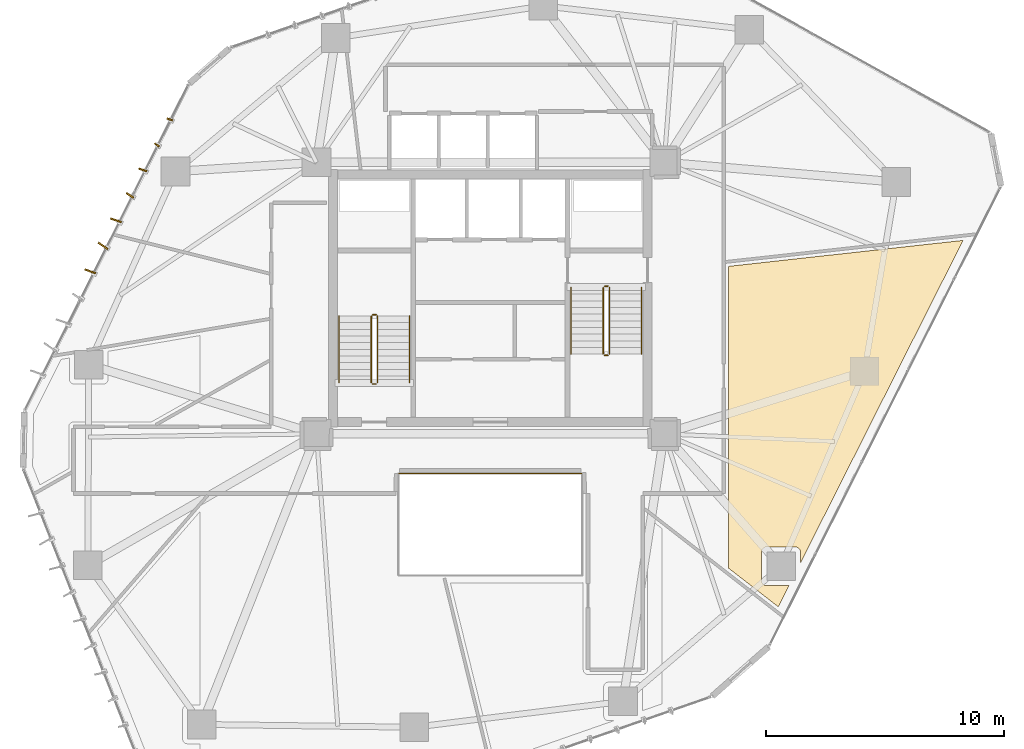
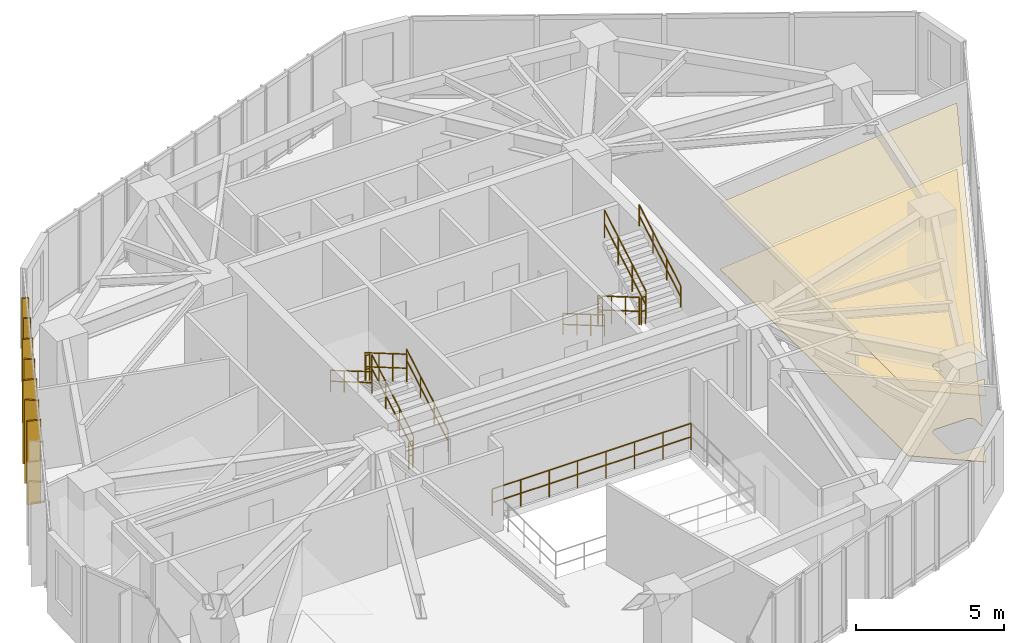
# One storey, part 20 of 21: 13 railings, 7 shading devices, 2 coverings.
"""IFC4 building model written with IfcOpenShell, lengths in metres."""

import ifcopenshell
import ifcopenshell.guid

model = None  # the IFC model being written
_history = None  # IfcOwnerHistory: only IFC2X3 demands one
_inside = {}  # id of a spatial element -> (the spatial element, [elements in it])
_under = {}  # id of a project, library or spatial element -> (it, [spatial elements below it])
_declared = {}  # id of a project -> (the project, [libraries it declares])
_typed = {}  # id of a type object -> (the type object, [elements of that type])
_made_of = {}  # id of a material, layer set ... -> (it, [elements and type objects made of it])


def new_model(schema):
    """Start an empty IFC model of exactly this schema.

    Asked for "IFC4X3", IfcOpenShell would pick the latest addendum, in which some entities
    have other attributes; the version numbers below select the first issue.
    IFC2X3 requires an IfcOwnerHistory on every rooted entity: one is made here for all.
    """
    global model, _history
    if schema == "IFC4X3":
        model = ifcopenshell.file(schema_version=(4, 3, 0, 0))
    else:
        model = ifcopenshell.file(schema=schema)
    _inside.clear()
    _under.clear()
    _declared.clear()
    _typed.clear()
    _made_of.clear()
    _history = None
    if model.schema == "IFC2X3":
        org = make("IfcOrganization", Name="unknown")
        user = make(
            "IfcPersonAndOrganization",
            ThePerson=make("IfcPerson", FamilyName="unknown"),
            TheOrganization=org,
        )
        app = make(
            "IfcApplication",
            ApplicationDeveloper=org,
            Version="unknown",
            ApplicationFullName="unknown",
            ApplicationIdentifier="unknown",
        )
        _history = make(
            "IfcOwnerHistory",
            OwningUser=user,
            OwningApplication=app,
            ChangeAction="ADDED",
            CreationDate=0,
        )
    return model


def make(cls, **values):
    """One entity of the class cls with the attributes given. An attribute that is None is left unset."""
    return model.create_entity(
        cls, **{name: value for name, value in values.items() if value is not None}
    )


def rooted(cls, **values):
    """An entity with a GlobalId (a new one), such as an element, a storey or a relation."""
    return make(cls, GlobalId=ifcopenshell.guid.new(), OwnerHistory=_history, **values)


def si_unit(unit_type, name, prefix=None):
    """IfcSIUnit, for example si_unit("LENGTHUNIT", "METRE", prefix="MILLI")."""
    return make("IfcSIUnit", UnitType=unit_type, Prefix=prefix, Name=name)


def assignment(units):
    """IfcUnitAssignment: the units of a project."""
    return None if units is None else make("IfcUnitAssignment", Units=units)


def point(xyz):
    """IfcCartesianPoint."""
    return None if xyz is None else make("IfcCartesianPoint", Coordinates=xyz)


def direction(xyz):
    """IfcDirection."""
    return None if xyz is None else make("IfcDirection", DirectionRatios=xyz)


def frame(location, z_axis=None, x_axis=None):
    """IfcAxis2Placement3D, a coordinate frame: its origin and axes. An axis left out is left unset."""
    return make(
        "IfcAxis2Placement3D",
        Location=point(location),
        Axis=direction(z_axis),
        RefDirection=direction(x_axis),
    )


def frame_2d(location, x_axis=None):
    """IfcAxis2Placement2D, a coordinate frame in the plane: its origin and x axis."""
    return make(
        "IfcAxis2Placement2D", Location=point(location), RefDirection=direction(x_axis)
    )


def origin():
    """The frame at (0, 0, 0) with its axes left unset."""
    return frame((0.0, 0.0, 0.0))


def origin_2d():
    """The frame at (0, 0) in the plane with its x axis left unset."""
    return frame_2d((0.0, 0.0))


def place(relative_to, where):
    """IfcLocalPlacement: puts the frame where relative to a parent placement (None: the world)."""
    return make(
        "IfcLocalPlacement", PlacementRelTo=relative_to, RelativePlacement=where
    )


def context(
    kind, dimensions, precision=None, world=None, true_north=None, identifier=None
):
    """IfcGeometricRepresentationContext, for example the 3D "Model" context."""
    return make(
        "IfcGeometricRepresentationContext",
        ContextIdentifier=identifier,
        ContextType=kind,
        CoordinateSpaceDimension=dimensions,
        Precision=precision,
        WorldCoordinateSystem=world,
        TrueNorth=true_north,
    )


def subcontext(parent, identifier, kind, view, scale=None):
    """IfcGeometricRepresentationSubContext, for example "Body" below "Model"."""
    return make(
        "IfcGeometricRepresentationSubContext",
        ContextIdentifier=identifier,
        ContextType=kind,
        ParentContext=parent,
        TargetScale=scale,
        TargetView=view,
    )


def project(units=None, contexts=None):
    """IfcProject with its units and contexts."""
    return rooted(
        "IfcProject",
        Name="project",
        RepresentationContexts=contexts,
        UnitsInContext=assignment(units),
    )


def spatial(cls, under=None, at=None, **own):
    """A site, building, storey or space (cls), placed at a placement, below another one or the project."""
    s = rooted(cls, ObjectPlacement=at, **own)
    if under is not None:
        _under.setdefault(under.id(), (under, []))[1].append(s)
    return s


def polyline(points):
    """IfcPolyline through the points."""
    return make("IfcPolyline", Points=[point(p) for p in points])


def profile(cls, at=None, kind="AREA", **sizes):
    """A parametric profile (cls). Its sizes go by their IFC names, for example OverallWidth=200.0."""
    return make(cls, ProfileType=kind, Position=at, **sizes)


def rectangle(**sizes):
    """IfcRectangleProfileDef."""
    return profile("IfcRectangleProfileDef", **sizes)


def circle(**sizes):
    """IfcCircleProfileDef."""
    return profile("IfcCircleProfileDef", **sizes)


def outline(outer, holes=None, kind="AREA"):
    """IfcArbitraryClosedProfileDef: a profile drawn as a closed curve; with holes, ...WithVoids."""
    if holes is None:
        return make("IfcArbitraryClosedProfileDef", ProfileType=kind, OuterCurve=outer)
    return make(
        "IfcArbitraryProfileDefWithVoids",
        ProfileType=kind,
        OuterCurve=outer,
        InnerCurves=holes,
    )


def extrude(swept, where, along, depth):
    """IfcExtrudedAreaSolid: the profile swept, set in the frame where, extruded along a direction by depth."""
    return make(
        "IfcExtrudedAreaSolid",
        SweptArea=swept,
        Position=where,
        ExtrudedDirection=direction(along),
        Depth=depth,
    )


def shape(context_of_items, identifier, shape_type, items):
    """IfcShapeRepresentation: the items that make up one representation, for example the "Body"."""
    return make(
        "IfcShapeRepresentation",
        ContextOfItems=context_of_items,
        RepresentationIdentifier=identifier,
        RepresentationType=shape_type,
        Items=items,
    )


def source(mapping_origin, context_of_items, identifier, shape_type, items):
    """IfcRepresentationMap: a shape defined once, which mapped items show again and again."""
    return make(
        "IfcRepresentationMap",
        MappingOrigin=mapping_origin,
        MappedRepresentation=shape(context_of_items, identifier, shape_type, items),
    )


def transform(
    local_origin,
    x_axis=None,
    y_axis=None,
    z_axis=None,
    scale=None,
    scale2=None,
    scale3=None,
    uniform=True,
):
    """IfcCartesianTransformationOperator3D, or its non-uniform kind. x_axis, y_axis, z_axis: its Axis1, 2, 3."""
    if uniform:
        return make(
            "IfcCartesianTransformationOperator3D",
            Axis1=direction(x_axis),
            Axis2=direction(y_axis),
            LocalOrigin=point(local_origin),
            Scale=scale,
            Axis3=direction(z_axis),
        )
    return make(
        "IfcCartesianTransformationOperator3DnonUniform",
        Axis1=direction(x_axis),
        Axis2=direction(y_axis),
        LocalOrigin=point(local_origin),
        Scale=scale,
        Axis3=direction(z_axis),
        Scale2=scale2,
        Scale3=scale3,
    )


def mapped(mapping_source, mapping_target):
    """IfcMappedItem: shows the shape of a source again, moved by a transform."""
    return make(
        "IfcMappedItem", MappingSource=mapping_source, MappingTarget=mapping_target
    )


def material(Name=None, Category=None):
    """IfcMaterial."""
    return make("IfcMaterial", Name=Name, Category=Category)


def layer(
    of_material, thickness, ventilated=None, Name=None, Category=None, Priority=None
):
    """IfcMaterialLayer: one layer of a wall or slab, of a material (None: an air gap)."""
    return make(
        "IfcMaterialLayer",
        Material=of_material,
        LayerThickness=thickness,
        IsVentilated=ventilated,
        Name=Name,
        Category=Category,
        Priority=Priority,
    )


def layer_set(layers, Name=None):
    """IfcMaterialLayerSet."""
    return make("IfcMaterialLayerSet", MaterialLayers=layers, LayerSetName=Name)


def made_of(thing, what):
    """Note that an element or type object is made of a material, layer set ...; save() writes the relation."""
    if what is not None:
        _made_of.setdefault(what.id(), (what, []))[1].append(thing)
    return thing


def type_object(cls, material=None, **own):
    """A type object (cls), such as IfcWallType, which elements share."""
    return made_of(rooted(cls, **own), material)


def type_shapes(of_type, sources):
    """Give a type object the sources (RepresentationMaps) that its elements show as mapped items."""
    of_type.RepresentationMaps = sources


def element(
    cls,
    number,
    at=None,
    inside=None,
    cuts=None,
    type_object=None,
    material=None,
    context=None,
    identifier="Body",
    shape_type=None,
    held_by="IfcProductDefinitionShape",
    body=None,
    shapes=None,
    **own,
):
    """One element of the class cls, such as IfcWall. Its Tag is "e" and its number.

    at: its placement. inside: the storey or other place that contains it. cuts: it is an
    opening in that element (IfcRelVoidsElement). A single representation is given by context,
    identifier, shape_type and body (its items); several are given by shapes. held_by: the class
    of the entity that holds the representations. save() writes the other relations.
    """
    e = rooted(cls, Tag="e%d" % number, ObjectPlacement=at, **own)
    if body is not None:
        shapes = [shape(context, identifier, shape_type, body)]
    if shapes is not None:
        e.Representation = make(held_by, Representations=shapes)
    if inside is not None:
        _inside.setdefault(inside.id(), (inside, []))[1].append(e)
    if cuts is not None:
        rooted(
            "IfcRelVoidsElement", RelatingBuildingElement=cuts, RelatedOpeningElement=e
        )
    if type_object is not None:
        _typed.setdefault(type_object.id(), (type_object, []))[1].append(e)
    return made_of(e, material)


def aggregate(whole, parts):
    """IfcRelAggregates: a whole, such as a stair, and the parts it consists of."""
    return rooted("IfcRelAggregates", RelatingObject=whole, RelatedObjects=parts)


def save(model, path):
    """Write the relations noted so far, then the file.

    IfcRelAggregates (storeys below a building ...), IfcRelContainedInSpatialStructure (elements
    in a storey), IfcRelDefinesByType, IfcRelAssociatesMaterial and IfcRelDeclares: one each for
    every whole, place, type object, material and project.
    """
    for whole, parts in _under.values():
        aggregate(whole, parts)
    for where, things in _inside.values():
        rooted(
            "IfcRelContainedInSpatialStructure",
            RelatedElements=things,
            RelatingStructure=where,
        )
    for kind, things in _typed.values():
        rooted("IfcRelDefinesByType", RelatedObjects=things, RelatingType=kind)
    for what, things in _made_of.values():
        rooted("IfcRelAssociatesMaterial", RelatedObjects=things, RelatingMaterial=what)
    for by, libraries in _declared.values():
        rooted("IfcRelDeclares", RelatingContext=by, RelatedDefinitions=libraries)
    model.write(path)


model = new_model("IFC4")

# Units and contexts
model_context = context("Model", 3, precision=1e-05, world=origin(), true_north=direction((0.0, 1.0)))
body_context = subcontext(model_context, "Body", "Model", "MODEL_VIEW")
ifc_project = project(units=[si_unit("LENGTHUNIT", "METRE"), si_unit("AREAUNIT", "SQUARE_METRE"), si_unit("VOLUMEUNIT", "CUBIC_METRE"), si_unit("PLANEANGLEUNIT", "RADIAN"), si_unit("MASSUNIT", "GRAM", prefix="KILO")], contexts=[model_context])

# Site, building, storey
site_placement = place(None, origin())
site = spatial("IfcSite", under=ifc_project, at=site_placement, CompositionType="ELEMENT")
building_placement = place(site_placement, origin())
building = spatial("IfcBuilding", under=site, at=building_placement, Name="Talar Marvaseh", CompositionType="ELEMENT")
storey_placement = place(building_placement, frame((0.0, 0.0, 147.0)))
storey = spatial("IfcBuildingStorey", under=building, at=storey_placement, Name="L38", CompositionType="ELEMENT", Elevation=147.0)

# Railings
ifc_material_1 = material(Name="Stainless Steel Grade 316", Category="steel")
railing_type_1 = type_object("IfcRailingType", Name="Brushed Stainless Wall Pitch Handrail 900", PredefinedType="HANDRAIL", material=ifc_material_1)
railing_1_placement = place(storey_placement, frame((22.610107421875, 27.64990234375, 0.16357421875)))
element("IfcRailing", 1, at=railing_1_placement, inside=storey, type_object=railing_type_1, Name="L38 ST-1 stair handrail 1", PredefinedType="HANDRAIL", context=body_context, shape_type="SweptSolid", body=[
    extrude(circle(Radius=0.02392578125, at=origin_2d()), frame((0.0, 0.0, 0.8759765625), z_axis=(0.0, 0.863360870873, 0.504586966384), x_axis=(-1.0, 0.0, 0.0)), (0.0, 0.0, 1.0), 3.2431640625),
    extrude(circle(Radius=0.02392578125, at=origin_2d()), frame((0.0, 0.0, 0.42578125), z_axis=(0.0, 0.863360870873, 0.504586966384), x_axis=(-1.0, 0.0, 0.0)), (0.0, 0.0, 1.0), 3.2431640625),
    extrude(circle(Radius=0.02099609375, at=origin_2d()), origin(), (0.0, 0.0, 1.0), 0.851806640625),
    extrude(circle(Radius=0.02099609375, at=origin_2d()), frame((0.0, 0.933349609375, 0.54541015625)), (0.0, 0.0, 1.0), 0.851806640625),
    extrude(circle(Radius=0.02099609375, at=origin_2d()), frame((0.0, 1.86669921875, 1.091064453125)), (0.0, 0.0, 1.0), 0.851806640625),
    extrude(circle(Radius=0.02099609375, at=origin_2d()), frame((0.0, 2.800048828125, 1.636474609375)), (0.0, 0.0, 1.0), 0.851806640625),
])
railing_2_placement = place(storey_placement, frame((19.64990234375, 30.449951171875, 1.963623046875)))
element("IfcRailing", 2, at=railing_2_placement, inside=storey, type_object=railing_type_1, Name="L38 ST-1 stair handrail 2", PredefinedType="HANDRAIL", context=body_context, shape_type="SweptSolid", body=[
    extrude(circle(Radius=0.02392578125, at=origin_2d()), frame((0.0, 0.0, 0.8759765625), z_axis=(0.0, -0.863360870873, 0.504586966384), x_axis=(1.0, 0.0, 0.0)), (0.0, 0.0, 1.0), 3.2431640625),
    extrude(circle(Radius=0.02392578125, at=origin_2d()), frame((0.0, 0.0, 0.42578125), z_axis=(0.0, -0.863360870873, 0.504586966384), x_axis=(1.0, 0.0, 0.0)), (0.0, 0.0, 1.0), 3.2431640625),
    extrude(circle(Radius=0.02099609375, at=origin_2d()), origin(), (0.0, 0.0, 1.0), 0.851806640625),
    extrude(circle(Radius=0.02099609375, at=origin_2d()), frame((0.0, -0.933349609375, 0.54541015625)), (0.0, 0.0, 1.0), 0.851806640625),
    extrude(circle(Radius=0.02099609375, at=origin_2d()), frame((0.0, -1.86669921875, 1.091064453125)), (0.0, 0.0, 1.0), 0.851806640625),
    extrude(circle(Radius=0.02099609375, at=origin_2d()), frame((0.0, -2.800048828125, 1.636474609375)), (0.0, 0.0, 1.0), 0.851806640625),
])
railing_3_placement = place(storey_placement, frame((29.389892578125, 31.64990234375, 0.16357421875)))
element("IfcRailing", 3, at=railing_3_placement, inside=storey, type_object=railing_type_1, Name="L38 ST-2 stair handrail 1", PredefinedType="HANDRAIL", context=body_context, shape_type="SweptSolid", body=[
    extrude(circle(Radius=0.02392578125, at=origin_2d()), frame((0.0, 0.0, 0.8759765625), z_axis=(0.0, -0.863341702679, 0.504619762213), x_axis=(1.0, 0.0, 0.0)), (0.0, 0.0, 1.0), 3.242919921875),
    extrude(circle(Radius=0.02392578125, at=origin_2d()), frame((0.0, 0.0, 0.42578125), z_axis=(0.0, -0.863341702679, 0.504619762213), x_axis=(1.0, 0.0, 0.0)), (0.0, 0.0, 1.0), 3.242919921875),
    extrude(circle(Radius=0.02099609375, at=origin_2d()), origin(), (0.0, 0.0, 1.0), 0.851806640625),
    extrude(circle(Radius=0.02099609375, at=origin_2d()), frame((0.0, -0.933349609375, 0.54541015625)), (0.0, 0.0, 1.0), 0.851806640625),
    extrude(circle(Radius=0.02099609375, at=origin_2d()), frame((0.0, -1.866455078125, 1.091064453125)), (0.0, 0.0, 1.0), 0.851806640625),
    extrude(circle(Radius=0.02099609375, at=origin_2d()), frame((0.0, -2.7998046875, 1.636474609375)), (0.0, 0.0, 1.0), 0.851806640625),
])
railing_4_placement = place(storey_placement, frame((32.35009765625, 28.85009765625, 1.963623046875)))
element("IfcRailing", 4, at=railing_4_placement, inside=storey, type_object=railing_type_1, Name="L38 ST-2 stair handrail 2", PredefinedType="HANDRAIL", context=body_context, shape_type="SweptSolid", body=[
    extrude(circle(Radius=0.02392578125, at=origin_2d()), frame((0.0, 0.0, 0.8759765625), z_axis=(0.0, 0.863341702679, 0.504619762213), x_axis=(-1.0, 0.0, 0.0)), (0.0, 0.0, 1.0), 3.242919921875),
    extrude(circle(Radius=0.02392578125, at=origin_2d()), frame((0.0, 0.0, 0.42578125), z_axis=(0.0, 0.863341702679, 0.504619762213), x_axis=(-1.0, 0.0, 0.0)), (0.0, 0.0, 1.0), 3.242919921875),
    extrude(circle(Radius=0.02099609375, at=origin_2d()), origin(), (0.0, 0.0, 1.0), 0.851806640625),
    extrude(circle(Radius=0.02099609375, at=origin_2d()), frame((0.0, 0.933349609375, 0.54541015625)), (0.0, 0.0, 1.0), 0.851806640625),
    extrude(circle(Radius=0.02099609375, at=origin_2d()), frame((0.0, 1.866455078125, 1.091064453125)), (0.0, 0.0, 1.0), 0.851806640625),
    extrude(circle(Radius=0.02099609375, at=origin_2d()), frame((0.0, 2.7998046875, 1.636474609375)), (0.0, 0.0, 1.0), 0.851806640625),
])
ifc_material_2 = material(Name="Tempered Clear Glass", Category="glass")
railing_type_2 = type_object("IfcRailingType", Name="Interior Atrium Edge Balustrade 1120", PredefinedType="BALUSTRADE", material=ifc_material_2)
railing_5_placement = place(storey_placement, frame((29.8701171875, 23.838623046875, 0.0)))
element("IfcRailing", 5, at=railing_5_placement, inside=storey, type_object=railing_type_2, Name="L38 Internal Daylight Atrium Balustrade 3", PredefinedType="BALUSTRADE", context=body_context, shape_type="SweptSolid", body=[
    extrude(circle(Radius=0.02392578125, at=origin_2d()), frame((0.0, 0.0, 1.09619140625), z_axis=(-1.0, 0.0, 0.0), x_axis=(0.0, -1.0, 0.0)), (0.0, 0.0, 1.0), 7.740234375),
    extrude(circle(Radius=0.02392578125, at=origin_2d()), frame((0.0, 0.0, 0.5361328125), z_axis=(-1.0, 0.0, 0.0), x_axis=(0.0, -1.0, 0.0)), (0.0, 0.0, 1.0), 7.740234375),
    extrude(circle(Radius=0.02099609375, at=origin_2d()), origin(), (0.0, 0.0, 1.0), 1.072021484375),
    extrude(circle(Radius=0.02099609375, at=origin_2d()), frame((-1.105712890625, 0.0, 0.0)), (0.0, 0.0, 1.0), 1.072021484375),
    extrude(circle(Radius=0.02099609375, at=origin_2d()), frame((-2.21142578125, 0.0, 0.0)), (0.0, 0.0, 1.0), 1.072021484375),
    extrude(circle(Radius=0.02099609375, at=origin_2d()), frame((-3.317138671875, 0.0, 0.0)), (0.0, 0.0, 1.0), 1.072021484375),
    extrude(circle(Radius=0.02099609375, at=origin_2d()), frame((-4.423095703125, 0.0, 0.0)), (0.0, 0.0, 1.0), 1.072021484375),
    extrude(circle(Radius=0.02099609375, at=origin_2d()), frame((-5.52880859375, 0.0, 0.0)), (0.0, 0.0, 1.0), 1.072021484375),
    extrude(circle(Radius=0.02099609375, at=origin_2d()), frame((-6.634521484375, 0.0, 0.0)), (0.0, 0.0, 1.0), 1.072021484375),
    extrude(circle(Radius=0.02099609375, at=origin_2d()), frame((-7.740234375, 0.0, 0.0)), (0.0, 0.0, 1.0), 1.072021484375),
])
railing_type_3 = type_object("IfcRailingType", Name="Painted Steel Core Stair Well Guardrail 1150", PredefinedType="GUARDRAIL", material=ifc_material_1)
railing_6_placement = place(storey_placement, frame((21.260009765625, 27.64990234375, 0.16357421875)))
element("IfcRailing", 6, at=railing_6_placement, inside=storey, type_object=railing_type_3, Name="L38 ST-1 stair guard 1", PredefinedType="GUARDRAIL", context=body_context, shape_type="SweptSolid", body=[
    extrude(circle(Radius=0.02392578125, at=origin_2d()), frame((0.0, 0.0, 1.1259765625), z_axis=(0.0, 0.863360870873, 0.504586966384), x_axis=(-1.0, 0.0, 0.0)), (0.0, 0.0, 1.0), 3.2431640625),
    extrude(circle(Radius=0.02392578125, at=origin_2d()), frame((0.0, 0.0, 0.55078125), z_axis=(0.0, 0.863360870873, 0.504586966384), x_axis=(-1.0, 0.0, 0.0)), (0.0, 0.0, 1.0), 3.2431640625),
    extrude(circle(Radius=0.02099609375, at=origin_2d()), origin(), (0.0, 0.0, 1.0), 1.101806640625),
    extrude(circle(Radius=0.02099609375, at=origin_2d()), frame((0.0, 0.933349609375, 0.54541015625)), (0.0, 0.0, 1.0), 1.101806640625),
    extrude(circle(Radius=0.02099609375, at=origin_2d()), frame((0.0, 1.86669921875, 1.091064453125)), (0.0, 0.0, 1.0), 1.101806640625),
    extrude(circle(Radius=0.02099609375, at=origin_2d()), frame((0.0, 2.800048828125, 1.636474609375)), (0.0, 0.0, 1.0), 1.101806640625),
])
railing_7_placement = place(storey_placement, frame((21.2099609375, 30.5, 1.800048828125)))
element("IfcRailing", 7, at=railing_7_placement, inside=storey, type_object=railing_type_3, Name="L38 ST-1 stair guard 2", PredefinedType="GUARDRAIL", context=body_context, shape_type="SweptSolid", body=[
    extrude(circle(Radius=0.02392578125, at=origin_2d()), frame((0.0, 0.0, 1.1259765625), z_axis=(-1.0, 0.0, 0.0), x_axis=(0.0, -1.0, 0.0)), (0.0, 0.0, 1.0), 0.159912109375),
    extrude(circle(Radius=0.02392578125, at=origin_2d()), frame((0.0, 0.0, 0.55078125), z_axis=(-1.0, 0.0, 0.0), x_axis=(0.0, -1.0, 0.0)), (0.0, 0.0, 1.0), 0.159912109375),
    extrude(circle(Radius=0.02099609375, at=origin_2d()), origin(), (0.0, 0.0, 1.0), 1.101806640625),
    extrude(circle(Radius=0.02099609375, at=origin_2d()), frame((-0.159912109375, 0.0, 0.0)), (0.0, 0.0, 1.0), 1.101806640625),
])
railing_8_placement = place(storey_placement, frame((21.0, 30.449951171875, 1.963623046875)))
element("IfcRailing", 8, at=railing_8_placement, inside=storey, type_object=railing_type_3, Name="L38 ST-1 stair guard 3", PredefinedType="GUARDRAIL", context=body_context, shape_type="SweptSolid", body=[
    extrude(circle(Radius=0.02392578125, at=origin_2d()), frame((0.0, 0.0, 1.1259765625), z_axis=(0.0, -0.863360870873, 0.504586966384), x_axis=(1.0, 0.0, 0.0)), (0.0, 0.0, 1.0), 3.2431640625),
    extrude(circle(Radius=0.02392578125, at=origin_2d()), frame((0.0, 0.0, 0.55078125), z_axis=(0.0, -0.863360870873, 0.504586966384), x_axis=(1.0, 0.0, 0.0)), (0.0, 0.0, 1.0), 3.2431640625),
    extrude(circle(Radius=0.02099609375, at=origin_2d()), origin(), (0.0, 0.0, 1.0), 1.101806640625),
    extrude(circle(Radius=0.02099609375, at=origin_2d()), frame((0.0, -0.933349609375, 0.54541015625)), (0.0, 0.0, 1.0), 1.101806640625),
    extrude(circle(Radius=0.02099609375, at=origin_2d()), frame((0.0, -1.86669921875, 1.091064453125)), (0.0, 0.0, 1.0), 1.101806640625),
    extrude(circle(Radius=0.02099609375, at=origin_2d()), frame((0.0, -2.800048828125, 1.636474609375)), (0.0, 0.0, 1.0), 1.101806640625),
])
railing_9_placement = place(storey_placement, frame((21.2099609375, 27.60009765625, 0.0)))
element("IfcRailing", 9, at=railing_9_placement, inside=storey, type_object=railing_type_3, Name="L38 ST-1 stair guard 4", PredefinedType="GUARDRAIL", context=body_context, shape_type="SweptSolid", body=[
    extrude(circle(Radius=0.02392578125, at=origin_2d()), frame((0.0, 0.0, 1.1259765625), z_axis=(-1.0, 0.0, 0.0), x_axis=(0.0, -1.0, 0.0)), (0.0, 0.0, 1.0), 0.159912109375),
    extrude(circle(Radius=0.02392578125, at=origin_2d()), frame((0.0, 0.0, 0.55078125), z_axis=(-1.0, 0.0, 0.0), x_axis=(0.0, -1.0, 0.0)), (0.0, 0.0, 1.0), 0.159912109375),
    extrude(circle(Radius=0.02099609375, at=origin_2d()), origin(), (0.0, 0.0, 1.0), 1.101806640625),
    extrude(circle(Radius=0.02099609375, at=origin_2d()), frame((-0.159912109375, 0.0, 0.0)), (0.0, 0.0, 1.0), 1.101806640625),
])
railing_10_placement = place(storey_placement, frame((30.739990234375, 31.64990234375, 0.16357421875)))
element("IfcRailing", 10, at=railing_10_placement, inside=storey, type_object=railing_type_3, Name="L38 ST-2 stair guard 1", PredefinedType="GUARDRAIL", context=body_context, shape_type="SweptSolid", body=[
    extrude(circle(Radius=0.02392578125, at=origin_2d()), frame((0.0, 0.0, 1.1259765625), z_axis=(0.0, -0.863341702679, 0.504619762213), x_axis=(1.0, 0.0, 0.0)), (0.0, 0.0, 1.0), 3.242919921875),
    extrude(circle(Radius=0.02392578125, at=origin_2d()), frame((0.0, 0.0, 0.55078125), z_axis=(0.0, -0.863341702679, 0.504619762213), x_axis=(1.0, 0.0, 0.0)), (0.0, 0.0, 1.0), 3.242919921875),
    extrude(circle(Radius=0.02099609375, at=origin_2d()), origin(), (0.0, 0.0, 1.0), 1.101806640625),
    extrude(circle(Radius=0.02099609375, at=origin_2d()), frame((0.0, -0.933349609375, 0.54541015625)), (0.0, 0.0, 1.0), 1.101806640625),
    extrude(circle(Radius=0.02099609375, at=origin_2d()), frame((0.0, -1.866455078125, 1.091064453125)), (0.0, 0.0, 1.0), 1.101806640625),
    extrude(circle(Radius=0.02099609375, at=origin_2d()), frame((0.0, -2.7998046875, 1.636474609375)), (0.0, 0.0, 1.0), 1.101806640625),
])
railing_11_placement = place(storey_placement, frame((30.7900390625, 28.800048828125, 1.800048828125)))
element("IfcRailing", 11, at=railing_11_placement, inside=storey, type_object=railing_type_3, Name="L38 ST-2 stair guard 2", PredefinedType="GUARDRAIL", context=body_context, shape_type="SweptSolid", body=[
    extrude(circle(Radius=0.02392578125, at=origin_2d()), frame((0.0, 0.0, 1.1259765625), z_axis=(1.0, 0.0, 0.0), x_axis=(0.0, 1.0, 0.0)), (0.0, 0.0, 1.0), 0.159912109375),
    extrude(circle(Radius=0.02392578125, at=origin_2d()), frame((0.0, 0.0, 0.55078125), z_axis=(1.0, 0.0, 0.0), x_axis=(0.0, 1.0, 0.0)), (0.0, 0.0, 1.0), 0.159912109375),
    extrude(circle(Radius=0.02099609375, at=origin_2d()), origin(), (0.0, 0.0, 1.0), 1.101806640625),
    extrude(circle(Radius=0.02099609375, at=origin_2d()), frame((0.159912109375, 0.0, 0.0)), (0.0, 0.0, 1.0), 1.101806640625),
])
railing_12_placement = place(storey_placement, frame((31.0, 28.85009765625, 1.963623046875)))
element("IfcRailing", 12, at=railing_12_placement, inside=storey, type_object=railing_type_3, Name="L38 ST-2 stair guard 3", PredefinedType="GUARDRAIL", context=body_context, shape_type="SweptSolid", body=[
    extrude(circle(Radius=0.02392578125, at=origin_2d()), frame((0.0, 0.0, 1.1259765625), z_axis=(0.0, 0.863341702679, 0.504619762213), x_axis=(-1.0, 0.0, 0.0)), (0.0, 0.0, 1.0), 3.242919921875),
    extrude(circle(Radius=0.02392578125, at=origin_2d()), frame((0.0, 0.0, 0.55078125), z_axis=(0.0, 0.863341702679, 0.504619762213), x_axis=(-1.0, 0.0, 0.0)), (0.0, 0.0, 1.0), 3.242919921875),
    extrude(circle(Radius=0.02099609375, at=origin_2d()), origin(), (0.0, 0.0, 1.0), 1.101806640625),
    extrude(circle(Radius=0.02099609375, at=origin_2d()), frame((0.0, 0.933349609375, 0.54541015625)), (0.0, 0.0, 1.0), 1.101806640625),
    extrude(circle(Radius=0.02099609375, at=origin_2d()), frame((0.0, 1.866455078125, 1.091064453125)), (0.0, 0.0, 1.0), 1.101806640625),
    extrude(circle(Radius=0.02099609375, at=origin_2d()), frame((0.0, 2.7998046875, 1.636474609375)), (0.0, 0.0, 1.0), 1.101806640625),
])
railing_13_placement = place(storey_placement, frame((30.7900390625, 31.699951171875, 0.0)))
element("IfcRailing", 13, at=railing_13_placement, inside=storey, type_object=railing_type_3, Name="L38 ST-2 stair guard 4", PredefinedType="GUARDRAIL", context=body_context, shape_type="SweptSolid", body=[
    extrude(circle(Radius=0.02392578125, at=origin_2d()), frame((0.0, 0.0, 1.1259765625), z_axis=(1.0, 0.0, 0.0), x_axis=(0.0, 1.0, 0.0)), (0.0, 0.0, 1.0), 0.159912109375),
    extrude(circle(Radius=0.02392578125, at=origin_2d()), frame((0.0, 0.0, 0.55078125), z_axis=(1.0, 0.0, 0.0), x_axis=(0.0, 1.0, 0.0)), (0.0, 0.0, 1.0), 0.159912109375),
    extrude(circle(Radius=0.02099609375, at=origin_2d()), origin(), (0.0, 0.0, 1.0), 1.101806640625),
    extrude(circle(Radius=0.02099609375, at=origin_2d()), frame((0.159912109375, 0.0, 0.0)), (0.0, 0.0, 1.0), 1.101806640625),
])

# Coverings
ifc_material_3 = material(Name="Mineral Fibre Acoustic Ceiling")
ifc_layer_1 = layer(ifc_material_3, 0.02490234375)
ifc_layer_set_1 = layer_set([ifc_layer_1], Name="Mineral Fibre Acoustic Ceiling")
covering_type_1 = type_object("IfcCoveringType", Name="Perforated Mineral Fibre Acoustic Suspended Ceiling", PredefinedType="CEILING", material=ifc_layer_set_1)
covering_1_placement = place(storey_placement, frame((0.0, 0.0, 2.719970703125)))
element("IfcCovering", 14, at=covering_1_placement, inside=storey, type_object=covering_type_1, Name="L38 Cultural Fellowship Office Acoustic Ceiling", PredefinedType="CEILING", context=body_context, shape_type="SweptSolid", body=[
    extrude(outline(polyline([(45.85009765625, 33.625), (39.019287109375, 20.077880859375), (39.02099609375, 20.541748046875), (39.02001953125, 20.560302734375), (39.017578125, 20.578857421875), (39.01318359375, 20.596923828125), (39.00732421875, 20.614501953125), (39.0, 20.631591796875), (38.990966796875, 20.64794921875), (38.980224609375, 20.663330078125), (38.968505859375, 20.677490234375), (38.955078125, 20.690673828125), (38.940185546875, 20.7041015625), (38.926025390625, 20.716064453125), (38.91064453125, 20.726318359375), (38.89453125, 20.7353515625), (38.877685546875, 20.74267578125), (38.860107421875, 20.74853515625), (38.842041015625, 20.752685546875), (38.82373046875, 20.755126953125), (38.805419921875, 20.756103515625), (37.5947265625, 20.751708984375), (37.5751953125, 20.75048828125), (37.555908203125, 20.74755859375), (37.536865234375, 20.742919921875), (37.518310546875, 20.736083984375), (37.500732421875, 20.727783203125), (37.48388671875, 20.717529296875), (37.46826171875, 20.705810546875), (37.45361328125, 20.69287109375), (37.440673828125, 20.67822265625), (37.428955078125, 20.66259765625), (37.4189453125, 20.645751953125), (37.41064453125, 20.6279296875), (37.404052734375, 20.609619140625), (37.399169921875, 20.590576171875), (37.396484375, 20.5712890625), (37.3955078125, 20.551513671875), (37.3955078125, 19.330322265625), (37.396484375, 19.310791015625), (37.399169921875, 19.29150390625), (37.404052734375, 19.272216796875), (37.41064453125, 19.25390625), (37.4189453125, 19.236083984375), (37.42919921875, 19.21923828125), (37.44091796875, 19.20361328125), (37.4541015625, 19.18896484375), (37.468505859375, 19.17578125), (37.484375, 19.1640625), (37.501220703125, 19.154052734375), (37.518798828125, 19.1455078125), (37.537353515625, 19.138916015625), (37.556396484375, 19.13427734375), (37.57568359375, 19.13134765625), (37.595458984375, 19.13037109375), (38.54150390625, 19.13037109375), (38.09228515625, 18.239501953125), (36.0, 19.863525390625), (36.0, 23.0), (36.0, 32.53564453125), (45.85009765625, 33.625)])), origin(), (0.0, 0.0, 1.0), 0.025146484375),
])
ifc_material_4 = material(Name="Porcelain Stoneware Tile", Category="masonry")
ifc_layer_2 = layer(ifc_material_4, 0.02001953125)
ifc_layer_set_2 = layer_set([ifc_layer_2], Name="Porcelain Stoneware Tile")
covering_type_2 = type_object("IfcCoveringType", Name="Polished Porcelain Stoneware Gallery Flooring", PredefinedType="FLOORING", material=ifc_layer_set_2)
covering_2_placement = place(storey_placement, origin())
element("IfcCovering", 15, at=covering_2_placement, inside=storey, type_object=covering_type_2, Name="L38 Cultural Fellowship Office Flooring", PredefinedType="FLOORING", context=body_context, shape_type="SweptSolid", body=[
    extrude(outline(polyline([(45.85009765625, 33.625), (39.019287109375, 20.077880859375), (39.02099609375, 20.541748046875), (39.02001953125, 20.560302734375), (39.017578125, 20.578857421875), (39.01318359375, 20.596923828125), (39.00732421875, 20.614501953125), (39.0, 20.631591796875), (38.990966796875, 20.64794921875), (38.980224609375, 20.663330078125), (38.968505859375, 20.677490234375), (38.955078125, 20.690673828125), (38.940185546875, 20.7041015625), (38.926025390625, 20.716064453125), (38.91064453125, 20.726318359375), (38.89453125, 20.7353515625), (38.877685546875, 20.74267578125), (38.860107421875, 20.74853515625), (38.842041015625, 20.752685546875), (38.82373046875, 20.755126953125), (38.805419921875, 20.756103515625), (37.5947265625, 20.751708984375), (37.5751953125, 20.75048828125), (37.555908203125, 20.74755859375), (37.536865234375, 20.742919921875), (37.518310546875, 20.736083984375), (37.500732421875, 20.727783203125), (37.48388671875, 20.717529296875), (37.46826171875, 20.705810546875), (37.45361328125, 20.69287109375), (37.440673828125, 20.67822265625), (37.428955078125, 20.66259765625), (37.4189453125, 20.645751953125), (37.41064453125, 20.6279296875), (37.404052734375, 20.609619140625), (37.399169921875, 20.590576171875), (37.396484375, 20.5712890625), (37.3955078125, 20.551513671875), (37.3955078125, 19.330322265625), (37.396484375, 19.310791015625), (37.399169921875, 19.29150390625), (37.404052734375, 19.272216796875), (37.41064453125, 19.25390625), (37.4189453125, 19.236083984375), (37.42919921875, 19.21923828125), (37.44091796875, 19.20361328125), (37.4541015625, 19.18896484375), (37.468505859375, 19.17578125), (37.484375, 19.1640625), (37.501220703125, 19.154052734375), (37.518798828125, 19.1455078125), (37.537353515625, 19.138916015625), (37.556396484375, 19.13427734375), (37.57568359375, 19.13134765625), (37.595458984375, 19.13037109375), (38.54150390625, 19.13037109375), (38.09228515625, 18.239501953125), (36.0, 19.863525390625), (36.0, 23.0), (36.0, 32.53564453125), (45.85009765625, 33.625)])), origin(), (0.0, 0.0, 1.0), 0.02001953125),
])

# Shading devices
ifc_material_5 = material(Name="Anodised Champagne Bronze Aluminium", Category="aluminium")
ifc_layer_3 = layer(ifc_material_5, 0.06494140625)
ifc_layer_set_3 = layer_set([ifc_layer_3], Name="Anodised Champagne Bronze Aluminium")
shading_device_type_1 = type_object("IfcShadingDeviceType", Name="Sawtooth Champagne Bronze Vertical Fin 240", PredefinedType="USERDEFINED", material=ifc_layer_set_3)
shared_shape_1 = source(origin(), body_context, "Body", "SweptSolid", [
    extrude(rectangle(XDim=0.239990234375, YDim=0.06494140625, at=origin_2d()), origin(), (0.0, 0.0, 1.0), 3.429931640625),
])
type_shapes(shading_device_type_1, [shared_shape_1])
for number, where, z_axis, x_axis, name in (
    (16, (12.001220703125, 37.631103515625, -0.1201171875), (0.0, 0.0, 1.0), (-0.82234270698, 0.568992506345, 0.0), "L38 Sawtooth Vertical Solar Fin"),
    (17, (12.5400390625, 38.703125, -0.1201171875), (0.0, 0.0, 1.0), (-0.947322135083, 0.320282332298, 0.0), "L38 Sawtooth Vertical Solar Fin"),
):
    element("IfcShadingDevice", number, at=place(storey_placement, frame(where, z_axis=z_axis, x_axis=x_axis)), inside=storey, type_object=shading_device_type_1, Name=name, ObjectType="FIN", PredefinedType="USERDEFINED", context=body_context, shape_type="MappedRepresentation", body=[
        mapped(shared_shape_1, transform((0.0, 0.0, 0.0), x_axis=(1.0, 0.0, 0.0), y_axis=(0.0, 1.0, 0.0), z_axis=(0.0, 0.0, 1.0), scale=1.0)),
    ])
ifc_layer_4 = layer(ifc_material_5, 0.06494140625)
ifc_layer_set_4 = layer_set([ifc_layer_4], Name="Anodised Champagne Bronze Aluminium")
shading_device_type_2 = type_object("IfcShadingDeviceType", Name="Sawtooth Champagne Bronze Vertical Fin 360", PredefinedType="USERDEFINED", material=ifc_layer_set_4)
shared_shape_2 = source(origin(), body_context, "Body", "SweptSolid", [
    extrude(rectangle(XDim=0.360107421875, YDim=0.06494140625, at=origin_2d()), origin(), (0.0, 0.0, 1.0), 3.429931640625),
])
type_shapes(shading_device_type_2, [shared_shape_2])
for number, where, z_axis, x_axis, name in (
    (18, (10.8701171875, 35.513427734375, -0.1201171875), (0.0, 0.0, 1.0), (-0.82234270698, 0.568992506345, 0.0), "L38 Sawtooth Vertical Solar Fin"),
    (19, (11.40869140625, 36.585693359375, -0.1201171875), (0.0, 0.0, 1.0), (-0.947322135083, 0.320282332298, 0.0), "L38 Sawtooth Vertical Solar Fin"),
):
    element("IfcShadingDevice", number, at=place(storey_placement, frame(where, z_axis=z_axis, x_axis=x_axis)), inside=storey, type_object=shading_device_type_2, Name=name, ObjectType="FIN", PredefinedType="USERDEFINED", context=body_context, shape_type="MappedRepresentation", body=[
        mapped(shared_shape_2, transform((0.0, 0.0, 0.0), x_axis=(1.0, 0.0, 0.0), y_axis=(0.0, 1.0, 0.0), z_axis=(0.0, 0.0, 1.0), scale=1.0)),
    ])
ifc_layer_5 = layer(ifc_material_5, 0.06494140625)
ifc_layer_set_5 = layer_set([ifc_layer_5], Name="Anodised Champagne Bronze Aluminium")
shading_device_type_3 = type_object("IfcShadingDeviceType", Name="Sawtooth Champagne Bronze Vertical Fin 480", PredefinedType="USERDEFINED", material=ifc_layer_set_5)
shared_shape_3 = source(origin(), body_context, "Body", "SweptSolid", [
    extrude(rectangle(XDim=0.47998046875, YDim=0.06494140625, at=origin_2d()), origin(), (0.0, 0.0, 1.0), 3.429931640625),
])
type_shapes(shading_device_type_3, [shared_shape_3])
for number, where, z_axis, x_axis, name in (
    (20, (9.199951171875, 32.32373046875, -0.1201171875), (0.0, 0.0, 1.0), (-0.947322135083, 0.320282332298, 0.0), "L38 Sawtooth Vertical Solar Fin"),
    (21, (9.73876953125, 33.39599609375, -0.1201171875), (0.0, 0.0, 1.0), (-0.82234270698, 0.568992506345, 0.0), "L38 Sawtooth Vertical Solar Fin"),
    (22, (10.277587890625, 34.46826171875, -0.1201171875), (0.0, 0.0, 1.0), (-0.947322135083, 0.320282332298, 0.0), "L38 Sawtooth Vertical Solar Fin"),
):
    element("IfcShadingDevice", number, at=place(storey_placement, frame(where, z_axis=z_axis, x_axis=x_axis)), inside=storey, type_object=shading_device_type_3, Name=name, ObjectType="FIN", PredefinedType="USERDEFINED", context=body_context, shape_type="MappedRepresentation", body=[
        mapped(shared_shape_3, transform((0.0, 0.0, 0.0), x_axis=(1.0, 0.0, 0.0), y_axis=(0.0, 1.0, 0.0), z_axis=(0.0, 0.0, 1.0), scale=1.0)),
    ])

save(model, "model.ifc")
